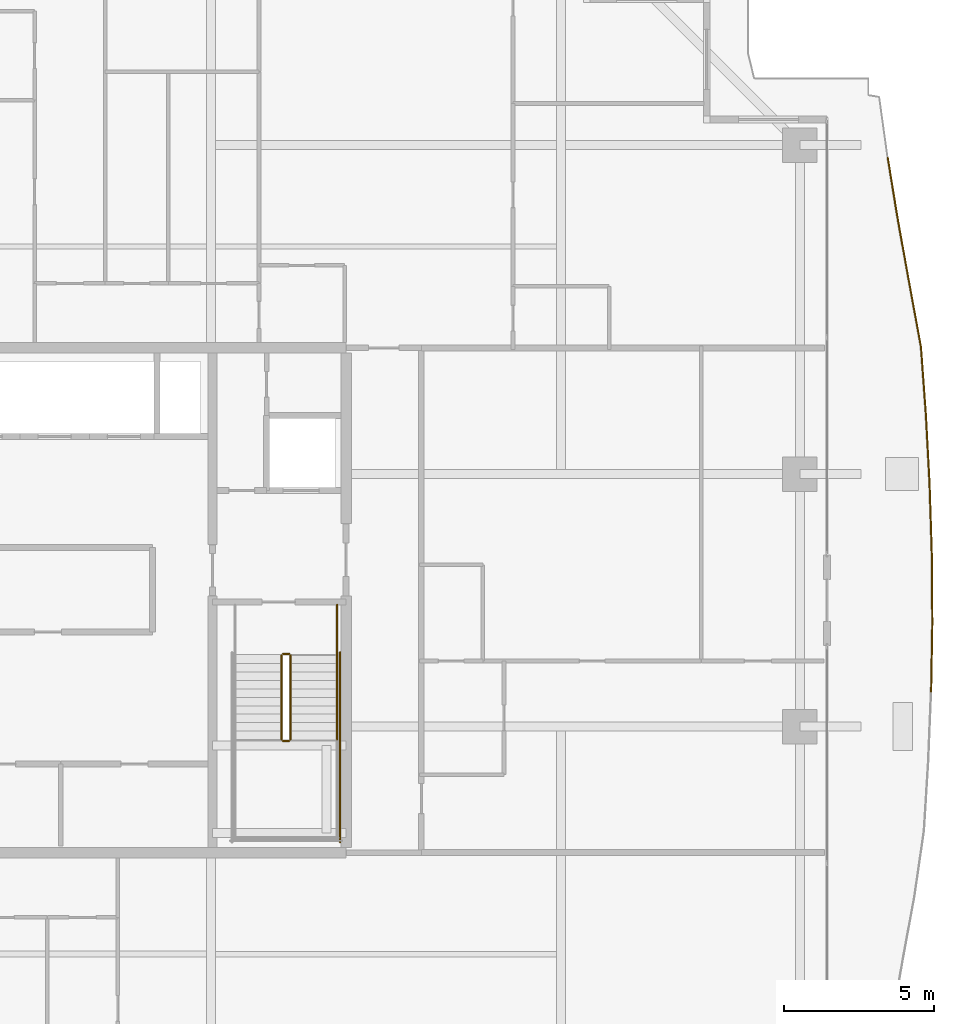
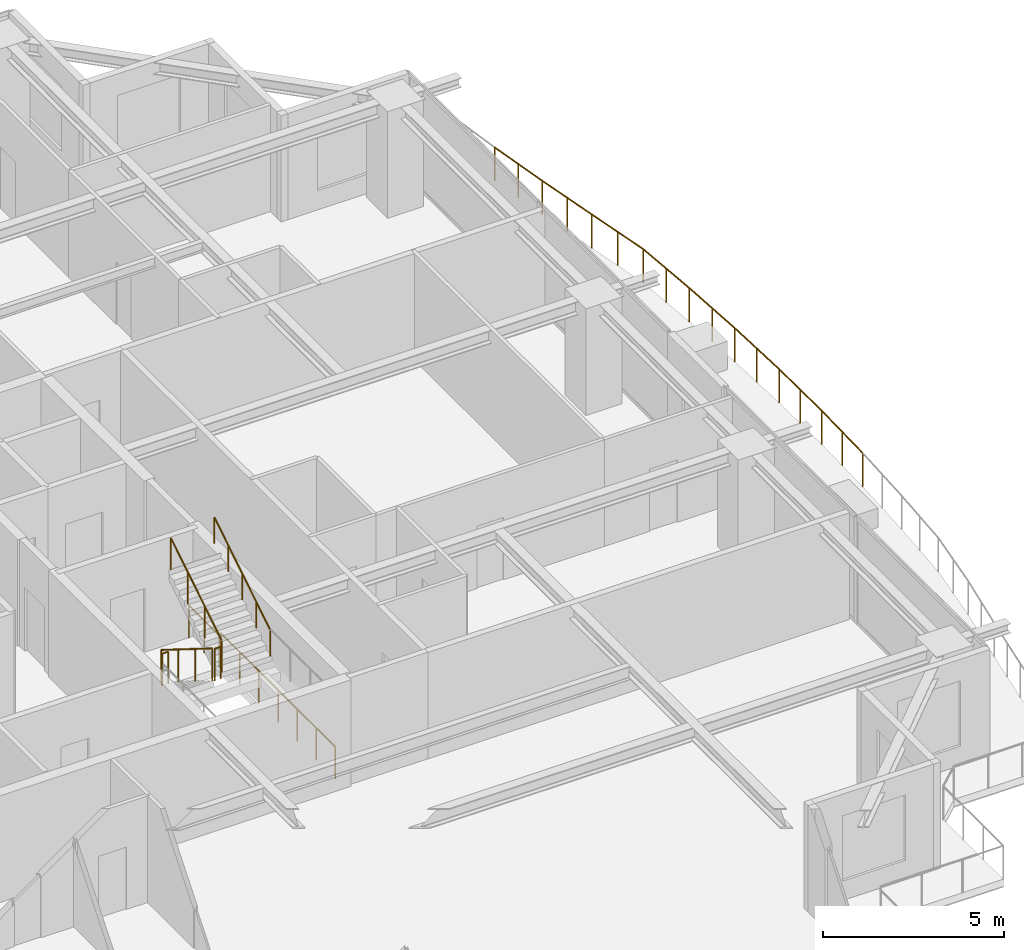
# One storey, part 36 of 37: 8 railings.
"""IFC4 building model written with IfcOpenShell, lengths in metres."""

from ifc_helpers import new_model, si_unit, direction, frame, origin, origin_2d, place, context, subcontext, project, spatial, circle, extrude, material, type_object, element, save


model = new_model("IFC4")

# Units and contexts
model_context = context("Model", 3, precision=1e-05, world=origin(), true_north=direction((0.0, 1.0)))
body_context = subcontext(model_context, "Body", "Model", "MODEL_VIEW")
ifc_project = project(units=[si_unit("LENGTHUNIT", "METRE"), si_unit("AREAUNIT", "SQUARE_METRE"), si_unit("VOLUMEUNIT", "CUBIC_METRE"), si_unit("PLANEANGLEUNIT", "RADIAN"), si_unit("MASSUNIT", "GRAM", prefix="KILO")], contexts=[model_context])

# Site, building, storey
site_placement = place(None, origin())
site = spatial("IfcSite", under=ifc_project, at=site_placement, CompositionType="ELEMENT")
building_placement = place(site_placement, origin())
building = spatial("IfcBuilding", under=site, at=building_placement, Name="Serunith Strait Residences", CompositionType="ELEMENT")
storey_placement = place(building_placement, frame((0.0, 0.0, 248.949951171875)))
storey = spatial("IfcBuildingStorey", under=building, at=storey_placement, Name="L62", CompositionType="ELEMENT", Elevation=248.949951171875)

# Railings
ifc_material_1 = material(Name="Stainless Steel & Laminated Glass Balustrade", Category="steel")
railing_type_1 = type_object("IfcRailingType", Name="RLG-BALC-1150", PredefinedType="BALUSTRADE", material=ifc_material_1)
railing_1_placement = place(storey_placement, frame((59.422119140625, 39.927001953125, -0.050048828125)))
element("IfcRailing", 1, at=railing_1_placement, inside=storey, type_object=railing_type_1, Name="L62 Swirling Balcony Perimeter Balustrade 5", PredefinedType="BALUSTRADE", context=body_context, shape_type="SweptSolid", body=[
    extrude(circle(Radius=0.02392578125, at=origin_2d()), frame((0.000244140625, -0.001953125, 1.1259765625), z_axis=(0.160646336935, -0.987012033579, 0.0), x_axis=(0.987012033579, 0.160646336935, 0.0)), (0.0, 0.0, 1.0), 2.074951171875),
    extrude(circle(Radius=0.02392578125, at=origin_2d()), frame((0.334228515625, -2.053955078125, 1.1259765625), z_axis=(0.177115146607, -0.98419013653, 0.0), x_axis=(0.98419013653, 0.177115146607, 0.0)), (0.0, 0.0, 1.0), 2.1201171875),
    extrude(circle(Radius=0.02392578125, at=origin_2d()), frame((0.71044921875, -4.14453125, 1.1259765625), z_axis=(0.180450533476, -0.983584060957, 0.0), x_axis=(0.983584060957, 0.180450533476, 0.0)), (0.0, 0.0, 1.0), 2.17822265625),
    extrude(circle(Radius=0.02392578125, at=origin_2d()), frame((1.104248046875, -6.291015625, 1.1259765625), z_axis=(0.072907709133, -0.997338691694, 0.0), x_axis=(0.997338691694, 0.072907709133, 0.0)), (0.0, 0.0, 1.0), 2.262939453125),
    extrude(circle(Radius=0.02392578125, at=origin_2d()), frame((1.269287109375, -8.552001953125, 1.1259765625), z_axis=(0.053250577108, -0.998581181496, 0.0), x_axis=(0.998581181496, 0.053250577108, 0.0)), (0.0, 0.0, 1.0), 2.29296875),
    extrude(circle(Radius=0.02392578125, at=origin_2d()), frame((1.3916015625, -10.845703125, 1.1259765625), z_axis=(0.031708331208, -0.999497164444, 0.0), x_axis=(0.999497164444, 0.031708331208, 0.0)), (0.0, 0.0, 1.0), 2.3134765625),
    extrude(circle(Radius=0.02392578125, at=origin_2d()), frame((1.465087890625, -13.162109375, 1.1259765625), z_axis=(0.007554080963, -0.999971467523, 0.0), x_axis=(0.999971467523, 0.007554080963, 0.0)), (0.0, 0.0, 1.0), 2.322998046875),
    extrude(circle(Radius=0.02392578125, at=origin_2d()), frame((1.482666015625, -15.489013671875, 1.1259765625), z_axis=(-0.017227953393, -0.999851587798, 0.0), x_axis=(0.999851587798, -0.017227953393, 0.0)), (0.0, 0.0, 1.0), 2.320068359375),
    extrude(circle(Radius=0.02099609375, at=origin_2d()), origin(), (0.0, 0.0, 1.0), 1.099853515625),
    extrude(circle(Radius=0.02099609375, at=origin_2d()), frame((0.1669921875, -1.02587890625, 0.0)), (0.0, 0.0, 1.0), 1.099853515625),
    extrude(circle(Radius=0.02099609375, at=origin_2d()), frame((0.333984375, -2.052001953125, 0.0)), (0.0, 0.0, 1.0), 1.099853515625),
    extrude(circle(Radius=0.02099609375, at=origin_2d()), frame((0.52197265625, -3.09716796875, 0.0)), (0.0, 0.0, 1.0), 1.099853515625),
    extrude(circle(Radius=0.02099609375, at=origin_2d()), frame((0.710205078125, -4.142578125, 0.0)), (0.0, 0.0, 1.0), 1.099853515625),
    extrude(circle(Radius=0.02099609375, at=origin_2d()), frame((0.9072265625, -5.2158203125, 0.0)), (0.0, 0.0, 1.0), 1.099853515625),
    extrude(circle(Radius=0.02099609375, at=origin_2d()), frame((1.10400390625, -6.2890625, 0.0)), (0.0, 0.0, 1.0), 1.099853515625),
    extrude(circle(Radius=0.02099609375, at=origin_2d()), frame((1.1865234375, -7.41943359375, 0.0)), (0.0, 0.0, 1.0), 1.099853515625),
    extrude(circle(Radius=0.02099609375, at=origin_2d()), frame((1.269287109375, -8.550048828125, 0.0)), (0.0, 0.0, 1.0), 1.099853515625),
    extrude(circle(Radius=0.02099609375, at=origin_2d()), frame((1.33056640625, -9.69677734375, 0.0)), (0.0, 0.0, 1.0), 1.099853515625),
    extrude(circle(Radius=0.02099609375, at=origin_2d()), frame((1.3916015625, -10.84375, 0.0)), (0.0, 0.0, 1.0), 1.099853515625),
    extrude(circle(Radius=0.02099609375, at=origin_2d()), frame((1.42822265625, -12.001953125, 0.0)), (0.0, 0.0, 1.0), 1.099853515625),
    extrude(circle(Radius=0.02099609375, at=origin_2d()), frame((1.465087890625, -13.16015625, 0.0)), (0.0, 0.0, 1.0), 1.099853515625),
    extrude(circle(Radius=0.02099609375, at=origin_2d()), frame((1.473876953125, -14.32373046875, 0.0)), (0.0, 0.0, 1.0), 1.099853515625),
    extrude(circle(Radius=0.02099609375, at=origin_2d()), frame((1.482666015625, -15.487060546875, 0.0)), (0.0, 0.0, 1.0), 1.099853515625),
    extrude(circle(Radius=0.02099609375, at=origin_2d()), frame((1.462646484375, -16.64892578125, 0.0)), (0.0, 0.0, 1.0), 1.099853515625),
    extrude(circle(Radius=0.02099609375, at=origin_2d()), frame((1.442626953125, -17.810791015625, 0.0)), (0.0, 0.0, 1.0), 1.099853515625),
])
ifc_material_2 = material(Name="Brushed stainless steel 316L", Category="steel")
railing_type_2 = type_object("IfcRailingType", Name="RLG-STAIR-GUARD", PredefinedType="BALUSTRADE", material=ifc_material_2)
railing_2_placement = place(storey_placement, frame((39.25, 23.3701171875, 0.175048828125)))
element("IfcRailing", 2, at=railing_2_placement, inside=storey, type_object=railing_type_2, Name="L62 ST-2 stair guard 1", PredefinedType="BALUSTRADE", context=body_context, shape_type="SweptSolid", body=[
    extrude(circle(Radius=0.02392578125, at=origin_2d()), frame((0.0, -0.001708984375, 1.0771484375), z_axis=(0.0, -0.848002457836, 0.529992293815), x_axis=(1.0, 0.0, 0.0)), (0.0, 0.0, 1.0), 3.2978515625),
    extrude(circle(Radius=0.02099609375, at=origin_2d()), origin(), (0.0, 0.0, 1.0), 1.050048828125),
    extrude(circle(Radius=0.02099609375, at=origin_2d()), frame((0.0, -0.933349609375, 0.583251953125)), (0.0, 0.0, 1.0), 1.050048828125),
    extrude(circle(Radius=0.02099609375, at=origin_2d()), frame((0.0, -1.86669921875, 1.166748046875)), (0.0, 0.0, 1.0), 1.050048828125),
    extrude(circle(Radius=0.02099609375, at=origin_2d()), frame((0.0, -2.800048828125, 1.75)), (0.0, 0.0, 1.0), 1.050048828125),
])
railing_3_placement = place(storey_placement, frame((39.300048828125, 20.52001953125, 1.925048828125)))
element("IfcRailing", 3, at=railing_3_placement, inside=storey, type_object=railing_type_2, Name="L62 ST-2 stair guard 2", PredefinedType="BALUSTRADE", context=body_context, shape_type="SweptSolid", body=[
    extrude(circle(Radius=0.02392578125, at=origin_2d()), frame((0.001953125, 0.0, 1.076171875), z_axis=(1.0, 0.0, 0.0), x_axis=(0.0, 1.0, 0.0)), (0.0, 0.0, 1.0), 0.196044921875),
    extrude(circle(Radius=0.02099609375, at=origin_2d()), origin(), (0.0, 0.0, 1.0), 1.050048828125),
    extrude(circle(Radius=0.02099609375, at=origin_2d()), frame((0.199951171875, 0.0, 0.0)), (0.0, 0.0, 1.0), 1.050048828125),
])
railing_4_placement = place(storey_placement, frame((39.550048828125, 20.570068359375, 2.10009765625)))
element("IfcRailing", 4, at=railing_4_placement, inside=storey, type_object=railing_type_2, Name="L62 ST-2 stair guard 6", PredefinedType="BALUSTRADE", context=body_context, shape_type="SweptSolid", body=[
    extrude(circle(Radius=0.02392578125, at=origin_2d()), frame((0.0, 0.001708984375, 1.0771484375), z_axis=(0.0, 0.848002457836, 0.529992293815), x_axis=(-1.0, 0.0, 0.0)), (0.0, 0.0, 1.0), 3.2978515625),
    extrude(circle(Radius=0.02099609375, at=origin_2d()), origin(), (0.0, 0.0, 1.0), 1.050048828125),
    extrude(circle(Radius=0.02099609375, at=origin_2d()), frame((0.0, 0.933349609375, 0.583251953125)), (0.0, 0.0, 1.0), 1.050048828125),
    extrude(circle(Radius=0.02099609375, at=origin_2d()), frame((0.0, 1.86669921875, 1.166748046875)), (0.0, 0.0, 1.0), 1.050048828125),
    extrude(circle(Radius=0.02099609375, at=origin_2d()), frame((0.0, 2.800048828125, 1.75)), (0.0, 0.0, 1.0), 1.050048828125),
])
railing_5_placement = place(storey_placement, frame((39.300048828125, 23.419921875, 0.0)))
element("IfcRailing", 5, at=railing_5_placement, inside=storey, type_object=railing_type_2, Name="L62 ST-2 stair guard 7", PredefinedType="BALUSTRADE", context=body_context, shape_type="SweptSolid", body=[
    extrude(circle(Radius=0.02392578125, at=origin_2d()), frame((0.001953125, 0.0, 1.076171875), z_axis=(1.0, 0.0, 0.0), x_axis=(0.0, 1.0, 0.0)), (0.0, 0.0, 1.0), 0.196044921875),
    extrude(circle(Radius=0.02099609375, at=origin_2d()), origin(), (0.0, 0.0, 1.0), 1.050048828125),
    extrude(circle(Radius=0.02099609375, at=origin_2d()), frame((0.199951171875, 0.0, 0.0)), (0.0, 0.0, 1.0), 1.050048828125),
])
railing_6_placement = place(storey_placement, frame((41.10009765625, 25.050048828125, 0.0)))
element("IfcRailing", 6, at=railing_6_placement, inside=storey, type_object=railing_type_2, Name="L62 ST-2 stair guard 9", PredefinedType="BALUSTRADE", context=body_context, shape_type="SweptSolid", body=[
    extrude(circle(Radius=0.02392578125, at=origin_2d()), frame((0.0, -0.001953125, 1.076171875), z_axis=(0.0, -1.0, 0.0), x_axis=(1.0, 0.0, 0.0)), (0.0, 0.0, 1.0), 1.676025390625),
    extrude(circle(Radius=0.02099609375, at=origin_2d()), origin(), (0.0, 0.0, 1.0), 1.050048828125),
    extrude(circle(Radius=0.02099609375, at=origin_2d()), frame((0.0, -0.83984375, 0.0)), (0.0, 0.0, 1.0), 1.050048828125),
    extrude(circle(Radius=0.02099609375, at=origin_2d()), frame((0.0, -1.679931640625, 0.0)), (0.0, 0.0, 1.0), 1.050048828125),
])
railing_7_placement = place(storey_placement, frame((41.199951171875, 23.469970703125, 0.0)))
element("IfcRailing", 7, at=railing_7_placement, inside=storey, type_object=railing_type_2, Name="L62 ST-2 stair guard 11", PredefinedType="BALUSTRADE", context=body_context, shape_type="SweptSolid", body=[
    extrude(circle(Radius=0.02392578125, at=origin_2d()), frame((0.0, -0.001953125, 1.076171875), z_axis=(0.0, -1.0, 0.0), x_axis=(1.0, 0.0, 0.0)), (0.0, 0.0, 1.0), 6.316162109375),
    extrude(circle(Radius=0.02099609375, at=origin_2d()), origin(), (0.0, 0.0, 1.0), 1.050048828125),
    extrude(circle(Radius=0.02099609375, at=origin_2d()), frame((0.0, -1.05322265625, 0.0)), (0.0, 0.0, 1.0), 1.050048828125),
    extrude(circle(Radius=0.02099609375, at=origin_2d()), frame((0.0, -2.106689453125, 0.0)), (0.0, 0.0, 1.0), 1.050048828125),
    extrude(circle(Radius=0.02099609375, at=origin_2d()), frame((0.0, -3.16015625, 0.0)), (0.0, 0.0, 1.0), 1.050048828125),
    extrude(circle(Radius=0.02099609375, at=origin_2d()), frame((0.0, -4.21337890625, 0.0)), (0.0, 0.0, 1.0), 1.050048828125),
    extrude(circle(Radius=0.02099609375, at=origin_2d()), frame((0.0, -5.2666015625, 0.0)), (0.0, 0.0, 1.0), 1.050048828125),
    extrude(circle(Radius=0.02099609375, at=origin_2d()), frame((0.0, -6.320068359375, 0.0)), (0.0, 0.0, 1.0), 1.050048828125),
])
railing_type_3 = type_object("IfcRailingType", Name="RLG-STAIR-HR", PredefinedType="HANDRAIL", material=ifc_material_2)
railing_8_placement = place(storey_placement, frame((41.10009765625, 20.570068359375, 2.10009765625)))
element("IfcRailing", 8, at=railing_8_placement, inside=storey, type_object=railing_type_3, Name="L62 ST-2 stair handrail 2", PredefinedType="HANDRAIL", context=body_context, shape_type="SweptSolid", body=[
    extrude(circle(Radius=0.02392578125, at=origin_2d()), frame((0.0, 0.001708984375, 0.876953125), z_axis=(0.0, 0.847375056783, 0.530994833442), x_axis=(-1.0, 0.0, 0.0)), (0.0, 0.0, 1.0), 3.630615234375),
    extrude(circle(Radius=0.02099609375, at=origin_2d()), origin(), (0.0, 0.0, 1.0), 0.849853515625),
    extrude(circle(Radius=0.02099609375, at=origin_2d()), frame((0.0, 0.77001953125, 0.482421875)), (0.0, 0.0, 1.0), 0.849853515625),
    extrude(circle(Radius=0.02099609375, at=origin_2d()), frame((0.0, 1.5400390625, 0.96484375)), (0.0, 0.0, 1.0), 0.849853515625),
    extrude(circle(Radius=0.02099609375, at=origin_2d()), frame((0.0, 2.309814453125, 1.447509765625)), (0.0, 0.0, 1.0), 0.849853515625),
    extrude(circle(Radius=0.02099609375, at=origin_2d()), frame((0.0, 3.079833984375, 1.929931640625)), (0.0, 0.0, 1.0), 0.849853515625),
])

save(model, "model.ifc")
